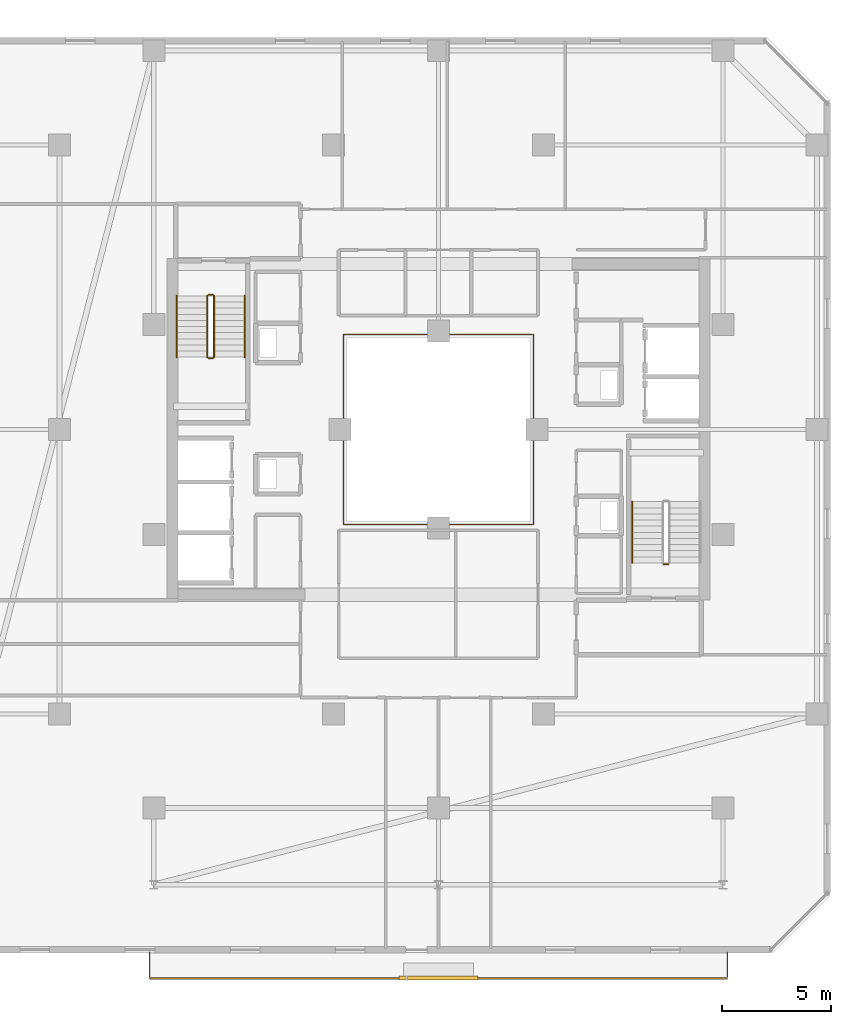
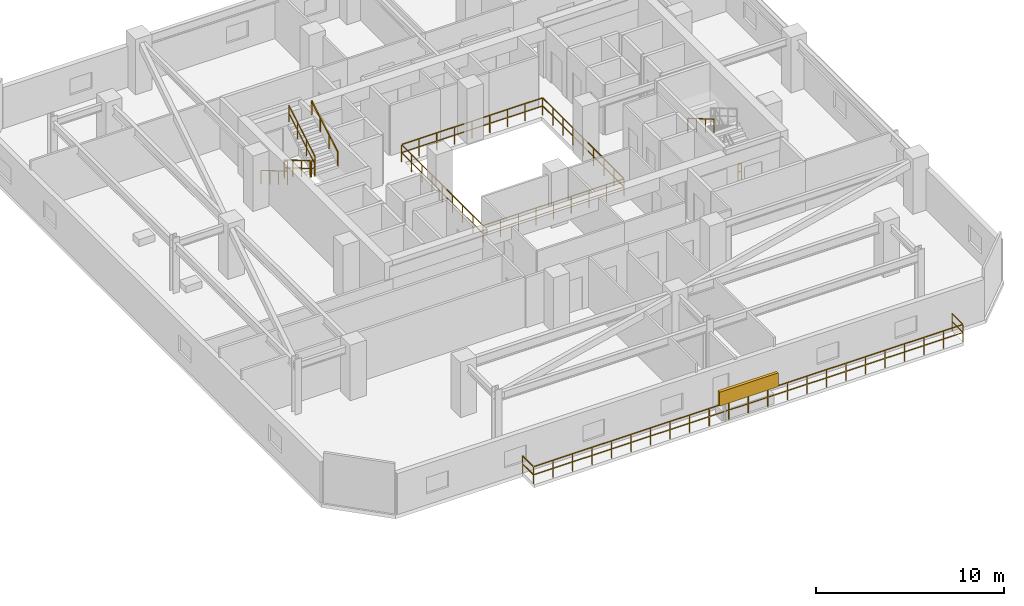
# One storey, part 32 of 33: 10 railings, 1 shading device.
"""IFC4 building model written with IfcOpenShell, lengths in metres."""

import ifcopenshell
import ifcopenshell.guid

model = None  # the IFC model being written
_history = None  # IfcOwnerHistory: only IFC2X3 demands one
_inside = {}  # id of a spatial element -> (the spatial element, [elements in it])
_under = {}  # id of a project, library or spatial element -> (it, [spatial elements below it])
_declared = {}  # id of a project -> (the project, [libraries it declares])
_typed = {}  # id of a type object -> (the type object, [elements of that type])
_made_of = {}  # id of a material, layer set ... -> (it, [elements and type objects made of it])


def new_model(schema):
    """Start an empty IFC model of exactly this schema.

    Asked for "IFC4X3", IfcOpenShell would pick the latest addendum, in which some entities
    have other attributes; the version numbers below select the first issue.
    IFC2X3 requires an IfcOwnerHistory on every rooted entity: one is made here for all.
    """
    global model, _history
    if schema == "IFC4X3":
        model = ifcopenshell.file(schema_version=(4, 3, 0, 0))
    else:
        model = ifcopenshell.file(schema=schema)
    _inside.clear()
    _under.clear()
    _declared.clear()
    _typed.clear()
    _made_of.clear()
    _history = None
    if model.schema == "IFC2X3":
        org = make("IfcOrganization", Name="unknown")
        user = make(
            "IfcPersonAndOrganization",
            ThePerson=make("IfcPerson", FamilyName="unknown"),
            TheOrganization=org,
        )
        app = make(
            "IfcApplication",
            ApplicationDeveloper=org,
            Version="unknown",
            ApplicationFullName="unknown",
            ApplicationIdentifier="unknown",
        )
        _history = make(
            "IfcOwnerHistory",
            OwningUser=user,
            OwningApplication=app,
            ChangeAction="ADDED",
            CreationDate=0,
        )
    return model


def make(cls, **values):
    """One entity of the class cls with the attributes given. An attribute that is None is left unset."""
    return model.create_entity(
        cls, **{name: value for name, value in values.items() if value is not None}
    )


def rooted(cls, **values):
    """An entity with a GlobalId (a new one), such as an element, a storey or a relation."""
    return make(cls, GlobalId=ifcopenshell.guid.new(), OwnerHistory=_history, **values)


def si_unit(unit_type, name, prefix=None):
    """IfcSIUnit, for example si_unit("LENGTHUNIT", "METRE", prefix="MILLI")."""
    return make("IfcSIUnit", UnitType=unit_type, Prefix=prefix, Name=name)


def assignment(units):
    """IfcUnitAssignment: the units of a project."""
    return None if units is None else make("IfcUnitAssignment", Units=units)


def point(xyz):
    """IfcCartesianPoint."""
    return None if xyz is None else make("IfcCartesianPoint", Coordinates=xyz)


def direction(xyz):
    """IfcDirection."""
    return None if xyz is None else make("IfcDirection", DirectionRatios=xyz)


def frame(location, z_axis=None, x_axis=None):
    """IfcAxis2Placement3D, a coordinate frame: its origin and axes. An axis left out is left unset."""
    return make(
        "IfcAxis2Placement3D",
        Location=point(location),
        Axis=direction(z_axis),
        RefDirection=direction(x_axis),
    )


def frame_2d(location, x_axis=None):
    """IfcAxis2Placement2D, a coordinate frame in the plane: its origin and x axis."""
    return make(
        "IfcAxis2Placement2D", Location=point(location), RefDirection=direction(x_axis)
    )


def origin():
    """The frame at (0, 0, 0) with its axes left unset."""
    return frame((0.0, 0.0, 0.0))


def origin_2d():
    """The frame at (0, 0) in the plane with its x axis left unset."""
    return frame_2d((0.0, 0.0))


def place(relative_to, where):
    """IfcLocalPlacement: puts the frame where relative to a parent placement (None: the world)."""
    return make(
        "IfcLocalPlacement", PlacementRelTo=relative_to, RelativePlacement=where
    )


def context(
    kind, dimensions, precision=None, world=None, true_north=None, identifier=None
):
    """IfcGeometricRepresentationContext, for example the 3D "Model" context."""
    return make(
        "IfcGeometricRepresentationContext",
        ContextIdentifier=identifier,
        ContextType=kind,
        CoordinateSpaceDimension=dimensions,
        Precision=precision,
        WorldCoordinateSystem=world,
        TrueNorth=true_north,
    )


def subcontext(parent, identifier, kind, view, scale=None):
    """IfcGeometricRepresentationSubContext, for example "Body" below "Model"."""
    return make(
        "IfcGeometricRepresentationSubContext",
        ContextIdentifier=identifier,
        ContextType=kind,
        ParentContext=parent,
        TargetScale=scale,
        TargetView=view,
    )


def project(units=None, contexts=None):
    """IfcProject with its units and contexts."""
    return rooted(
        "IfcProject",
        Name="project",
        RepresentationContexts=contexts,
        UnitsInContext=assignment(units),
    )


def spatial(cls, under=None, at=None, **own):
    """A site, building, storey or space (cls), placed at a placement, below another one or the project."""
    s = rooted(cls, ObjectPlacement=at, **own)
    if under is not None:
        _under.setdefault(under.id(), (under, []))[1].append(s)
    return s


def profile(cls, at=None, kind="AREA", **sizes):
    """A parametric profile (cls). Its sizes go by their IFC names, for example OverallWidth=200.0."""
    return make(cls, ProfileType=kind, Position=at, **sizes)


def rectangle(**sizes):
    """IfcRectangleProfileDef."""
    return profile("IfcRectangleProfileDef", **sizes)


def extrude(swept, where, along, depth):
    """IfcExtrudedAreaSolid: the profile swept, set in the frame where, extruded along a direction by depth."""
    return make(
        "IfcExtrudedAreaSolid",
        SweptArea=swept,
        Position=where,
        ExtrudedDirection=direction(along),
        Depth=depth,
    )


def shape(context_of_items, identifier, shape_type, items):
    """IfcShapeRepresentation: the items that make up one representation, for example the "Body"."""
    return make(
        "IfcShapeRepresentation",
        ContextOfItems=context_of_items,
        RepresentationIdentifier=identifier,
        RepresentationType=shape_type,
        Items=items,
    )


def material(Name=None, Category=None):
    """IfcMaterial."""
    return make("IfcMaterial", Name=Name, Category=Category)


def made_of(thing, what):
    """Note that an element or type object is made of a material, layer set ...; save() writes the relation."""
    if what is not None:
        _made_of.setdefault(what.id(), (what, []))[1].append(thing)
    return thing


def type_object(cls, material=None, **own):
    """A type object (cls), such as IfcWallType, which elements share."""
    return made_of(rooted(cls, **own), material)


def element(
    cls,
    number,
    at=None,
    inside=None,
    cuts=None,
    type_object=None,
    material=None,
    context=None,
    identifier="Body",
    shape_type=None,
    held_by="IfcProductDefinitionShape",
    body=None,
    shapes=None,
    **own,
):
    """One element of the class cls, such as IfcWall. Its Tag is "e" and its number.

    at: its placement. inside: the storey or other place that contains it. cuts: it is an
    opening in that element (IfcRelVoidsElement). A single representation is given by context,
    identifier, shape_type and body (its items); several are given by shapes. held_by: the class
    of the entity that holds the representations. save() writes the other relations.
    """
    e = rooted(cls, Tag="e%d" % number, ObjectPlacement=at, **own)
    if body is not None:
        shapes = [shape(context, identifier, shape_type, body)]
    if shapes is not None:
        e.Representation = make(held_by, Representations=shapes)
    if inside is not None:
        _inside.setdefault(inside.id(), (inside, []))[1].append(e)
    if cuts is not None:
        rooted(
            "IfcRelVoidsElement", RelatingBuildingElement=cuts, RelatedOpeningElement=e
        )
    if type_object is not None:
        _typed.setdefault(type_object.id(), (type_object, []))[1].append(e)
    return made_of(e, material)


def aggregate(whole, parts):
    """IfcRelAggregates: a whole, such as a stair, and the parts it consists of."""
    return rooted("IfcRelAggregates", RelatingObject=whole, RelatedObjects=parts)


def save(model, path):
    """Write the relations noted so far, then the file.

    IfcRelAggregates (storeys below a building ...), IfcRelContainedInSpatialStructure (elements
    in a storey), IfcRelDefinesByType, IfcRelAssociatesMaterial and IfcRelDeclares: one each for
    every whole, place, type object, material and project.
    """
    for whole, parts in _under.values():
        aggregate(whole, parts)
    for where, things in _inside.values():
        rooted(
            "IfcRelContainedInSpatialStructure",
            RelatedElements=things,
            RelatingStructure=where,
        )
    for kind, things in _typed.values():
        rooted("IfcRelDefinesByType", RelatedObjects=things, RelatingType=kind)
    for what, things in _made_of.values():
        rooted("IfcRelAssociatesMaterial", RelatedObjects=things, RelatingMaterial=what)
    for by, libraries in _declared.values():
        rooted("IfcRelDeclares", RelatingContext=by, RelatedDefinitions=libraries)
    model.write(path)


model = new_model("IFC4")

# Units and contexts
model_context = context("Model", 3, precision=1e-05, world=origin(), true_north=direction((0.0, 1.0)))
body_context = subcontext(model_context, "Body", "Model", "MODEL_VIEW")
ifc_project = project(units=[si_unit("LENGTHUNIT", "METRE"), si_unit("AREAUNIT", "SQUARE_METRE"), si_unit("VOLUMEUNIT", "CUBIC_METRE"), si_unit("PLANEANGLEUNIT", "RADIAN"), si_unit("MASSUNIT", "GRAM", prefix="KILO")], contexts=[model_context])

# Site, building, storey
site_placement = place(None, origin())
site = spatial("IfcSite", under=ifc_project, at=site_placement, CompositionType="ELEMENT")
building_placement = place(site_placement, origin())
building = spatial("IfcBuilding", under=site, at=building_placement, Name="Thornwick Lancets Civic Towers", CompositionType="ELEMENT")
storey_placement = place(building_placement, frame((0.0, 0.0, 218.10009765625)))
storey = spatial("IfcBuildingStorey", under=building, at=storey_placement, Name="L58", CompositionType="ELEMENT", Elevation=218.10009765625)

# Railings
ifc_material_1 = material(Name="Laminated glass and bronze steel S355", Category="steel")
railing_type_1 = type_object("IfcRailingType", Name="RAIL_ATRIUM_GUARD", PredefinedType="BALUSTRADE", material=ifc_material_1)
railing_1_placement = place(storey_placement, frame((84.159912109375, 22.659912109375, 0.0)))
element("IfcRailing", 1, at=railing_1_placement, inside=storey, type_object=railing_type_1, Name="L58 Tower B Central Atrium Guard Balustrade", PredefinedType="BALUSTRADE", context=body_context, shape_type="SweptSolid", body=[
    extrude(rectangle(XDim=0.048095703125, YDim=0.048095703125, at=origin_2d()), frame((0.0, 0.0, 1.1259765625), z_axis=(1.0, 0.0, 0.0), x_axis=(0.0, 1.0, 0.0)), (0.0, 0.0, 1.0), 8.64892578125),
    extrude(rectangle(XDim=0.0419921875, YDim=0.0419921875, at=origin_2d()), frame((0.03759765625, 0.0, 0.597900390625), z_axis=(1.0, 0.0, 0.0), x_axis=(0.0, 1.0, 0.0)), (0.0, 0.0, 1.0), 1.010009765625),
    extrude(rectangle(XDim=0.0419921875, YDim=0.0419921875, at=origin_2d()), frame((1.12255859375, 0.0, 0.597900390625), z_axis=(1.0, 0.0, 0.0), x_axis=(0.0, 1.0, 0.0)), (0.0, 0.0, 1.0), 1.010009765625),
    extrude(rectangle(XDim=0.0419921875, YDim=0.0419921875, at=origin_2d()), frame((2.20751953125, 0.0, 0.597900390625), z_axis=(1.0, 0.0, 0.0), x_axis=(0.0, 1.0, 0.0)), (0.0, 0.0, 1.0), 1.010009765625),
    extrude(rectangle(XDim=0.0419921875, YDim=0.0419921875, at=origin_2d()), frame((3.29248046875, 0.0, 0.597900390625), z_axis=(1.0, 0.0, 0.0), x_axis=(0.0, 1.0, 0.0)), (0.0, 0.0, 1.0), 1.010009765625),
    extrude(rectangle(XDim=0.0419921875, YDim=0.0419921875, at=origin_2d()), frame((4.377685546875, 0.0, 0.597900390625), z_axis=(1.0, 0.0, 0.0), x_axis=(0.0, 1.0, 0.0)), (0.0, 0.0, 1.0), 1.010009765625),
    extrude(rectangle(XDim=0.0419921875, YDim=0.0419921875, at=origin_2d()), frame((5.462646484375, 0.0, 0.597900390625), z_axis=(1.0, 0.0, 0.0), x_axis=(0.0, 1.0, 0.0)), (0.0, 0.0, 1.0), 1.010009765625),
    extrude(rectangle(XDim=0.0419921875, YDim=0.0419921875, at=origin_2d()), frame((6.547607421875, 0.0, 0.597900390625), z_axis=(1.0, 0.0, 0.0), x_axis=(0.0, 1.0, 0.0)), (0.0, 0.0, 1.0), 1.010009765625),
    extrude(rectangle(XDim=0.0419921875, YDim=0.0419921875, at=origin_2d()), frame((7.632568359375, 0.0, 0.597900390625), z_axis=(1.0, 0.0, 0.0), x_axis=(0.0, 1.0, 0.0)), (0.0, 0.0, 1.0), 1.010009765625),
    extrude(rectangle(XDim=0.048095703125, YDim=0.048095703125, at=origin_2d()), frame((8.68017578125, 0.03125, 1.1259765625), z_axis=(0.0, 1.0, 0.0), x_axis=(-1.0, 0.0, 0.0)), (0.0, 0.0, 1.0), 8.61767578125),
    extrude(rectangle(XDim=0.0419921875, YDim=0.0419921875, at=origin_2d()), frame((8.68017578125, 0.03759765625, 0.597900390625), z_axis=(0.0, 1.0, 0.0), x_axis=(-1.0, 0.0, 0.0)), (0.0, 0.0, 1.0), 1.010009765625),
    extrude(rectangle(XDim=0.0419921875, YDim=0.0419921875, at=origin_2d()), frame((8.68017578125, 1.12255859375, 0.597900390625), z_axis=(0.0, 1.0, 0.0), x_axis=(-1.0, 0.0, 0.0)), (0.0, 0.0, 1.0), 1.010009765625),
    extrude(rectangle(XDim=0.0419921875, YDim=0.0419921875, at=origin_2d()), frame((8.68017578125, 2.20751953125, 0.597900390625), z_axis=(0.0, 1.0, 0.0), x_axis=(-1.0, 0.0, 0.0)), (0.0, 0.0, 1.0), 1.010009765625),
    extrude(rectangle(XDim=0.0419921875, YDim=0.0419921875, at=origin_2d()), frame((8.68017578125, 3.29248046875, 0.597900390625), z_axis=(0.0, 1.0, 0.0), x_axis=(-1.0, 0.0, 0.0)), (0.0, 0.0, 1.0), 1.010009765625),
    extrude(rectangle(XDim=0.0419921875, YDim=0.0419921875, at=origin_2d()), frame((8.68017578125, 4.377685546875, 0.597900390625), z_axis=(0.0, 1.0, 0.0), x_axis=(-1.0, 0.0, 0.0)), (0.0, 0.0, 1.0), 1.010009765625),
    extrude(rectangle(XDim=0.0419921875, YDim=0.0419921875, at=origin_2d()), frame((8.68017578125, 5.462646484375, 0.597900390625), z_axis=(0.0, 1.0, 0.0), x_axis=(-1.0, 0.0, 0.0)), (0.0, 0.0, 1.0), 1.010009765625),
    extrude(rectangle(XDim=0.0419921875, YDim=0.0419921875, at=origin_2d()), frame((8.68017578125, 6.547607421875, 0.597900390625), z_axis=(0.0, 1.0, 0.0), x_axis=(-1.0, 0.0, 0.0)), (0.0, 0.0, 1.0), 1.010009765625),
    extrude(rectangle(XDim=0.0419921875, YDim=0.0419921875, at=origin_2d()), frame((8.68017578125, 7.632568359375, 0.597900390625), z_axis=(0.0, 1.0, 0.0), x_axis=(-1.0, 0.0, 0.0)), (0.0, 0.0, 1.0), 1.010009765625),
    extrude(rectangle(XDim=0.048095703125, YDim=0.048095703125, at=origin_2d()), frame((8.64892578125, 8.68017578125, 1.1259765625), z_axis=(-1.0, 0.0, 0.0), x_axis=(0.0, -1.0, 0.0)), (0.0, 0.0, 1.0), 8.61767578125),
    extrude(rectangle(XDim=0.0419921875, YDim=0.0419921875, at=origin_2d()), frame((8.642578125, 8.68017578125, 0.597900390625), z_axis=(-1.0, 0.0, 0.0), x_axis=(0.0, -1.0, 0.0)), (0.0, 0.0, 1.0), 1.010009765625),
    extrude(rectangle(XDim=0.0419921875, YDim=0.0419921875, at=origin_2d()), frame((7.5576171875, 8.68017578125, 0.597900390625), z_axis=(-1.0, 0.0, 0.0), x_axis=(0.0, -1.0, 0.0)), (0.0, 0.0, 1.0), 1.010009765625),
    extrude(rectangle(XDim=0.0419921875, YDim=0.0419921875, at=origin_2d()), frame((6.47265625, 8.68017578125, 0.597900390625), z_axis=(-1.0, 0.0, 0.0), x_axis=(0.0, -1.0, 0.0)), (0.0, 0.0, 1.0), 1.010009765625),
    extrude(rectangle(XDim=0.0419921875, YDim=0.0419921875, at=origin_2d()), frame((5.3876953125, 8.68017578125, 0.597900390625), z_axis=(-1.0, 0.0, 0.0), x_axis=(0.0, -1.0, 0.0)), (0.0, 0.0, 1.0), 1.010009765625),
    extrude(rectangle(XDim=0.0419921875, YDim=0.0419921875, at=origin_2d()), frame((4.302490234375, 8.68017578125, 0.597900390625), z_axis=(-1.0, 0.0, 0.0), x_axis=(0.0, -1.0, 0.0)), (0.0, 0.0, 1.0), 1.010009765625),
    extrude(rectangle(XDim=0.0419921875, YDim=0.0419921875, at=origin_2d()), frame((3.217529296875, 8.68017578125, 0.597900390625), z_axis=(-1.0, 0.0, 0.0), x_axis=(0.0, -1.0, 0.0)), (0.0, 0.0, 1.0), 1.010009765625),
    extrude(rectangle(XDim=0.0419921875, YDim=0.0419921875, at=origin_2d()), frame((2.132568359375, 8.68017578125, 0.597900390625), z_axis=(-1.0, 0.0, 0.0), x_axis=(0.0, -1.0, 0.0)), (0.0, 0.0, 1.0), 1.010009765625),
    extrude(rectangle(XDim=0.0419921875, YDim=0.0419921875, at=origin_2d()), frame((1.047607421875, 8.68017578125, 0.597900390625), z_axis=(-1.0, 0.0, 0.0), x_axis=(0.0, -1.0, 0.0)), (0.0, 0.0, 1.0), 1.010009765625),
    extrude(rectangle(XDim=0.048095703125, YDim=0.048095703125, at=origin_2d()), frame((0.0, 8.64892578125, 1.1259765625), z_axis=(0.0, -1.0, 0.0), x_axis=(1.0, 0.0, 0.0)), (0.0, 0.0, 1.0), 8.64892578125),
    extrude(rectangle(XDim=0.0419921875, YDim=0.0419921875, at=origin_2d()), frame((0.0, 8.642578125, 0.597900390625), z_axis=(0.0, -1.0, 0.0), x_axis=(1.0, 0.0, 0.0)), (0.0, 0.0, 1.0), 1.010009765625),
    extrude(rectangle(XDim=0.0419921875, YDim=0.0419921875, at=origin_2d()), frame((0.0, 7.5576171875, 0.597900390625), z_axis=(0.0, -1.0, 0.0), x_axis=(1.0, 0.0, 0.0)), (0.0, 0.0, 1.0), 1.010009765625),
    extrude(rectangle(XDim=0.0419921875, YDim=0.0419921875, at=origin_2d()), frame((0.0, 6.47265625, 0.597900390625), z_axis=(0.0, -1.0, 0.0), x_axis=(1.0, 0.0, 0.0)), (0.0, 0.0, 1.0), 1.010009765625),
    extrude(rectangle(XDim=0.0419921875, YDim=0.0419921875, at=origin_2d()), frame((0.0, 5.3876953125, 0.597900390625), z_axis=(0.0, -1.0, 0.0), x_axis=(1.0, 0.0, 0.0)), (0.0, 0.0, 1.0), 1.010009765625),
    extrude(rectangle(XDim=0.0419921875, YDim=0.0419921875, at=origin_2d()), frame((0.0, 4.302490234375, 0.597900390625), z_axis=(0.0, -1.0, 0.0), x_axis=(1.0, 0.0, 0.0)), (0.0, 0.0, 1.0), 1.010009765625),
    extrude(rectangle(XDim=0.0419921875, YDim=0.0419921875, at=origin_2d()), frame((0.0, 3.217529296875, 0.597900390625), z_axis=(0.0, -1.0, 0.0), x_axis=(1.0, 0.0, 0.0)), (0.0, 0.0, 1.0), 1.010009765625),
    extrude(rectangle(XDim=0.0419921875, YDim=0.0419921875, at=origin_2d()), frame((0.0, 2.132568359375, 0.597900390625), z_axis=(0.0, -1.0, 0.0), x_axis=(1.0, 0.0, 0.0)), (0.0, 0.0, 1.0), 1.010009765625),
    extrude(rectangle(XDim=0.0419921875, YDim=0.0419921875, at=origin_2d()), frame((0.0, 1.047607421875, 0.597900390625), z_axis=(0.0, -1.0, 0.0), x_axis=(1.0, 0.0, 0.0)), (0.0, 0.0, 1.0), 1.010009765625),
    extrude(rectangle(XDim=0.0419921875, YDim=0.0419921875, at=origin_2d()), origin(), (0.0, 0.0, 1.0), 1.095703125),
    extrude(rectangle(XDim=0.0419921875, YDim=0.0419921875, at=origin_2d()), frame((1.0849609375, 0.0, 0.0)), (0.0, 0.0, 1.0), 1.095703125),
    extrude(rectangle(XDim=0.0419921875, YDim=0.0419921875, at=origin_2d()), frame((2.169921875, 0.0, 0.0)), (0.0, 0.0, 1.0), 1.095703125),
    extrude(rectangle(XDim=0.0419921875, YDim=0.0419921875, at=origin_2d()), frame((3.255126953125, 0.0, 0.0)), (0.0, 0.0, 1.0), 1.095703125),
    extrude(rectangle(XDim=0.0419921875, YDim=0.0419921875, at=origin_2d()), frame((4.340087890625, 0.0, 0.0)), (0.0, 0.0, 1.0), 1.095703125),
    extrude(rectangle(XDim=0.0419921875, YDim=0.0419921875, at=origin_2d()), frame((5.425048828125, 0.0, 0.0)), (0.0, 0.0, 1.0), 1.095703125),
    extrude(rectangle(XDim=0.0419921875, YDim=0.0419921875, at=origin_2d()), frame((6.51025390625, 0.0, 0.0)), (0.0, 0.0, 1.0), 1.095703125),
    extrude(rectangle(XDim=0.0419921875, YDim=0.0419921875, at=origin_2d()), frame((7.59521484375, 0.0, 0.0)), (0.0, 0.0, 1.0), 1.095703125),
    extrude(rectangle(XDim=0.0419921875, YDim=0.0419921875, at=origin_2d()), frame((8.68017578125, 0.0, 0.0)), (0.0, 0.0, 1.0), 1.095703125),
    extrude(rectangle(XDim=0.0419921875, YDim=0.0419921875, at=origin_2d()), frame((8.68017578125, 1.0849609375, 0.0)), (0.0, 0.0, 1.0), 1.095703125),
    extrude(rectangle(XDim=0.0419921875, YDim=0.0419921875, at=origin_2d()), frame((8.68017578125, 2.169921875, 0.0)), (0.0, 0.0, 1.0), 1.095703125),
    extrude(rectangle(XDim=0.0419921875, YDim=0.0419921875, at=origin_2d()), frame((8.68017578125, 3.255126953125, 0.0)), (0.0, 0.0, 1.0), 1.095703125),
    extrude(rectangle(XDim=0.0419921875, YDim=0.0419921875, at=origin_2d()), frame((8.68017578125, 4.340087890625, 0.0)), (0.0, 0.0, 1.0), 1.095703125),
    extrude(rectangle(XDim=0.0419921875, YDim=0.0419921875, at=origin_2d()), frame((8.68017578125, 5.425048828125, 0.0)), (0.0, 0.0, 1.0), 1.095703125),
    extrude(rectangle(XDim=0.0419921875, YDim=0.0419921875, at=origin_2d()), frame((8.68017578125, 6.51025390625, 0.0)), (0.0, 0.0, 1.0), 1.095703125),
    extrude(rectangle(XDim=0.0419921875, YDim=0.0419921875, at=origin_2d()), frame((8.68017578125, 7.59521484375, 0.0)), (0.0, 0.0, 1.0), 1.095703125),
    extrude(rectangle(XDim=0.0419921875, YDim=0.0419921875, at=origin_2d()), frame((8.68017578125, 8.68017578125, 0.0)), (0.0, 0.0, 1.0), 1.095703125),
    extrude(rectangle(XDim=0.0419921875, YDim=0.0419921875, at=origin_2d()), frame((7.59521484375, 8.68017578125, 0.0)), (0.0, 0.0, 1.0), 1.095703125),
    extrude(rectangle(XDim=0.0419921875, YDim=0.0419921875, at=origin_2d()), frame((6.51025390625, 8.68017578125, 0.0)), (0.0, 0.0, 1.0), 1.095703125),
    extrude(rectangle(XDim=0.0419921875, YDim=0.0419921875, at=origin_2d()), frame((5.425048828125, 8.68017578125, 0.0)), (0.0, 0.0, 1.0), 1.095703125),
    extrude(rectangle(XDim=0.0419921875, YDim=0.0419921875, at=origin_2d()), frame((4.340087890625, 8.68017578125, 0.0)), (0.0, 0.0, 1.0), 1.095703125),
    extrude(rectangle(XDim=0.0419921875, YDim=0.0419921875, at=origin_2d()), frame((3.255126953125, 8.68017578125, 0.0)), (0.0, 0.0, 1.0), 1.095703125),
    extrude(rectangle(XDim=0.0419921875, YDim=0.0419921875, at=origin_2d()), frame((2.169921875, 8.68017578125, 0.0)), (0.0, 0.0, 1.0), 1.095703125),
    extrude(rectangle(XDim=0.0419921875, YDim=0.0419921875, at=origin_2d()), frame((1.0849609375, 8.68017578125, 0.0)), (0.0, 0.0, 1.0), 1.095703125),
    extrude(rectangle(XDim=0.0419921875, YDim=0.0419921875, at=origin_2d()), frame((0.0, 8.68017578125, 0.0)), (0.0, 0.0, 1.0), 1.095703125),
    extrude(rectangle(XDim=0.0419921875, YDim=0.0419921875, at=origin_2d()), frame((0.0, 7.59521484375, 0.0)), (0.0, 0.0, 1.0), 1.095703125),
    extrude(rectangle(XDim=0.0419921875, YDim=0.0419921875, at=origin_2d()), frame((0.0, 6.51025390625, 0.0)), (0.0, 0.0, 1.0), 1.095703125),
    extrude(rectangle(XDim=0.0419921875, YDim=0.0419921875, at=origin_2d()), frame((0.0, 5.425048828125, 0.0)), (0.0, 0.0, 1.0), 1.095703125),
    extrude(rectangle(XDim=0.0419921875, YDim=0.0419921875, at=origin_2d()), frame((0.0, 4.340087890625, 0.0)), (0.0, 0.0, 1.0), 1.095703125),
    extrude(rectangle(XDim=0.0419921875, YDim=0.0419921875, at=origin_2d()), frame((0.0, 3.255126953125, 0.0)), (0.0, 0.0, 1.0), 1.095703125),
    extrude(rectangle(XDim=0.0419921875, YDim=0.0419921875, at=origin_2d()), frame((0.0, 2.169921875, 0.0)), (0.0, 0.0, 1.0), 1.095703125),
    extrude(rectangle(XDim=0.0419921875, YDim=0.0419921875, at=origin_2d()), frame((0.0, 1.0849609375, 0.0)), (0.0, 0.0, 1.0), 1.095703125),
])
ifc_material_2 = material(Name="Brushed stainless steel S355", Category="steel")
railing_type_2 = type_object("IfcRailingType", Name="RAIL_HANDRAIL", PredefinedType="HANDRAIL", material=ifc_material_2)
for number, where, name in (
    (2, (97.35009765625, 23.699951171875, 1.963623046875), "L58 ST-B1 stair handrail 2"),
    (3, (76.550048828125, 33.10009765625, 0.16357421875), "L58 ST-B2 stair handrail 1"),
):
    element("IfcRailing", number, at=place(storey_placement, frame(where)), inside=storey, type_object=railing_type_2, Name=name, PredefinedType="HANDRAIL", context=body_context, shape_type="SweptSolid", body=[
        extrude(rectangle(XDim=0.048095703125, YDim=0.048095703125, at=origin_2d()), frame((0.0, 0.0, 0.8857421875), z_axis=(0.0, -0.863393664356, 0.504530851732), x_axis=(1.0, 0.0, 0.0)), (0.0, 0.0, 1.0), 3.2431640625),
        extrude(rectangle(XDim=0.0419921875, YDim=0.0419921875, at=origin_2d()), origin(), (0.0, 0.0, 1.0), 0.855712890625),
        extrude(rectangle(XDim=0.0419921875, YDim=0.0419921875, at=origin_2d()), frame((0.0, -0.933349609375, 0.54541015625)), (0.0, 0.0, 1.0), 0.855712890625),
        extrude(rectangle(XDim=0.0419921875, YDim=0.0419921875, at=origin_2d()), frame((0.0, -1.86669921875, 1.0908203125)), (0.0, 0.0, 1.0), 0.855712890625),
        extrude(rectangle(XDim=0.0419921875, YDim=0.0419921875, at=origin_2d()), frame((0.0, -2.800048828125, 1.63623046875)), (0.0, 0.0, 1.0), 0.855712890625),
    ])
railing_2_placement = place(storey_placement, frame((79.64990234375, 30.300048828125, 1.963623046875)))
element("IfcRailing", 4, at=railing_2_placement, inside=storey, type_object=railing_type_2, Name="L58 ST-B2 stair handrail 2", PredefinedType="HANDRAIL", context=body_context, shape_type="SweptSolid", body=[
    extrude(rectangle(XDim=0.048095703125, YDim=0.048095703125, at=origin_2d()), frame((0.0, 0.0, 0.8857421875), z_axis=(0.0, 0.863393664356, 0.504530851732), x_axis=(-1.0, 0.0, 0.0)), (0.0, 0.0, 1.0), 3.2431640625),
    extrude(rectangle(XDim=0.0419921875, YDim=0.0419921875, at=origin_2d()), origin(), (0.0, 0.0, 1.0), 0.855712890625),
    extrude(rectangle(XDim=0.0419921875, YDim=0.0419921875, at=origin_2d()), frame((0.0, 0.933349609375, 0.54541015625)), (0.0, 0.0, 1.0), 0.855712890625),
    extrude(rectangle(XDim=0.0419921875, YDim=0.0419921875, at=origin_2d()), frame((0.0, 1.86669921875, 1.0908203125)), (0.0, 0.0, 1.0), 0.855712890625),
    extrude(rectangle(XDim=0.0419921875, YDim=0.0419921875, at=origin_2d()), frame((0.0, 2.800048828125, 1.63623046875)), (0.0, 0.0, 1.0), 0.855712890625),
])
ifc_material_3 = material(Name="Steel S355JR", Category="steel")
railing_type_3 = type_object("IfcRailingType", Name="RAIL_STAIR_GUARD", PredefinedType="GUARDRAIL", material=ifc_material_3)
railing_3_placement = place(storey_placement, frame((99.0, 20.85009765625, 0.0)))
element("IfcRailing", 5, at=railing_3_placement, inside=storey, type_object=railing_type_3, Name="L58 ST-B1 stair guard 4", PredefinedType="GUARDRAIL", context=body_context, shape_type="SweptSolid", body=[
    extrude(rectangle(XDim=0.048095703125, YDim=0.048095703125, at=origin_2d()), frame((0.0, 0.0, 1.076171875), z_axis=(-1.0, 0.0, 0.0), x_axis=(0.0, -1.0, 0.0)), (0.0, 0.0, 1.0), 0.199951171875),
    extrude(rectangle(XDim=0.0419921875, YDim=0.0419921875, at=origin_2d()), frame((-0.03759765625, 0.0, 0.572021484375), z_axis=(-1.0, 0.0, 0.0), x_axis=(0.0, -1.0, 0.0)), (0.0, 0.0, 1.0), 0.125),
    extrude(rectangle(XDim=0.0419921875, YDim=0.0419921875, at=origin_2d()), origin(), (0.0, 0.0, 1.0), 1.0458984375),
    extrude(rectangle(XDim=0.0419921875, YDim=0.0419921875, at=origin_2d()), frame((-0.199951171875, 0.0, 0.0)), (0.0, 0.0, 1.0), 1.0458984375),
])
railing_4_placement = place(storey_placement, frame((77.949951171875, 33.10009765625, 0.16357421875)))
element("IfcRailing", 6, at=railing_4_placement, inside=storey, type_object=railing_type_3, Name="L58 ST-B2 stair guard 1", PredefinedType="GUARDRAIL", context=body_context, shape_type="SweptSolid", body=[
    extrude(rectangle(XDim=0.048095703125, YDim=0.048095703125, at=origin_2d()), frame((0.0, 0.0, 1.076171875), z_axis=(0.0, -0.863393664356, 0.504530851732), x_axis=(1.0, 0.0, 0.0)), (0.0, 0.0, 1.0), 3.2431640625),
    extrude(rectangle(XDim=0.0419921875, YDim=0.0419921875, at=origin_2d()), frame((0.0, -0.032470703125, 0.591064453125), z_axis=(0.0, -0.863393664356, 0.504530851732), x_axis=(1.0, 0.0, 0.0)), (0.0, 0.0, 1.0), 1.006103515625),
    extrude(rectangle(XDim=0.0419921875, YDim=0.0419921875, at=origin_2d()), frame((0.0, -0.9658203125, 1.136474609375), z_axis=(0.0, -0.863393664356, 0.504530851732), x_axis=(1.0, 0.0, 0.0)), (0.0, 0.0, 1.0), 1.006103515625),
    extrude(rectangle(XDim=0.0419921875, YDim=0.0419921875, at=origin_2d()), frame((0.0, -1.899169921875, 1.681884765625), z_axis=(0.0, -0.863393664356, 0.504530851732), x_axis=(1.0, 0.0, 0.0)), (0.0, 0.0, 1.0), 1.006103515625),
    extrude(rectangle(XDim=0.0419921875, YDim=0.0419921875, at=origin_2d()), origin(), (0.0, 0.0, 1.0), 1.0458984375),
    extrude(rectangle(XDim=0.0419921875, YDim=0.0419921875, at=origin_2d()), frame((0.0, -0.933349609375, 0.54541015625)), (0.0, 0.0, 1.0), 1.0458984375),
    extrude(rectangle(XDim=0.0419921875, YDim=0.0419921875, at=origin_2d()), frame((0.0, -1.86669921875, 1.0908203125)), (0.0, 0.0, 1.0), 1.0458984375),
    extrude(rectangle(XDim=0.0419921875, YDim=0.0419921875, at=origin_2d()), frame((0.0, -2.800048828125, 1.63623046875)), (0.0, 0.0, 1.0), 1.0458984375),
])
railing_5_placement = place(storey_placement, frame((78.0, 30.25, 1.7998046875)))
element("IfcRailing", 7, at=railing_5_placement, inside=storey, type_object=railing_type_3, Name="L58 ST-B2 stair guard 2", PredefinedType="GUARDRAIL", context=body_context, shape_type="SweptSolid", body=[
    extrude(rectangle(XDim=0.048095703125, YDim=0.048095703125, at=origin_2d()), frame((0.0, 0.0, 1.076171875), z_axis=(1.0, 0.0, 0.0), x_axis=(0.0, 1.0, 0.0)), (0.0, 0.0, 1.0), 0.199951171875),
    extrude(rectangle(XDim=0.0419921875, YDim=0.0419921875, at=origin_2d()), frame((0.03759765625, 0.0, 0.572021484375), z_axis=(1.0, 0.0, 0.0), x_axis=(0.0, 1.0, 0.0)), (0.0, 0.0, 1.0), 0.125),
    extrude(rectangle(XDim=0.0419921875, YDim=0.0419921875, at=origin_2d()), origin(), (0.0, 0.0, 1.0), 1.0458984375),
    extrude(rectangle(XDim=0.0419921875, YDim=0.0419921875, at=origin_2d()), frame((0.199951171875, 0.0, 0.0)), (0.0, 0.0, 1.0), 1.0458984375),
])
railing_6_placement = place(storey_placement, frame((78.25, 30.300048828125, 1.963623046875)))
element("IfcRailing", 8, at=railing_6_placement, inside=storey, type_object=railing_type_3, Name="L58 ST-B2 stair guard 3", PredefinedType="GUARDRAIL", context=body_context, shape_type="SweptSolid", body=[
    extrude(rectangle(XDim=0.048095703125, YDim=0.048095703125, at=origin_2d()), frame((0.0, 0.0, 1.076171875), z_axis=(0.0, 0.863393664356, 0.504530851732), x_axis=(-1.0, 0.0, 0.0)), (0.0, 0.0, 1.0), 3.2431640625),
    extrude(rectangle(XDim=0.0419921875, YDim=0.0419921875, at=origin_2d()), frame((0.0, 0.032470703125, 0.591064453125), z_axis=(0.0, 0.863393664356, 0.504530851732), x_axis=(-1.0, 0.0, 0.0)), (0.0, 0.0, 1.0), 1.006103515625),
    extrude(rectangle(XDim=0.0419921875, YDim=0.0419921875, at=origin_2d()), frame((0.0, 0.9658203125, 1.136474609375), z_axis=(0.0, 0.863393664356, 0.504530851732), x_axis=(-1.0, 0.0, 0.0)), (0.0, 0.0, 1.0), 1.006103515625),
    extrude(rectangle(XDim=0.0419921875, YDim=0.0419921875, at=origin_2d()), frame((0.0, 1.899169921875, 1.681884765625), z_axis=(0.0, 0.863393664356, 0.504530851732), x_axis=(-1.0, 0.0, 0.0)), (0.0, 0.0, 1.0), 1.006103515625),
    extrude(rectangle(XDim=0.0419921875, YDim=0.0419921875, at=origin_2d()), origin(), (0.0, 0.0, 1.0), 1.0458984375),
    extrude(rectangle(XDim=0.0419921875, YDim=0.0419921875, at=origin_2d()), frame((0.0, 0.933349609375, 0.54541015625)), (0.0, 0.0, 1.0), 1.0458984375),
    extrude(rectangle(XDim=0.0419921875, YDim=0.0419921875, at=origin_2d()), frame((0.0, 1.86669921875, 1.0908203125)), (0.0, 0.0, 1.0), 1.0458984375),
    extrude(rectangle(XDim=0.0419921875, YDim=0.0419921875, at=origin_2d()), frame((0.0, 2.800048828125, 1.63623046875)), (0.0, 0.0, 1.0), 1.0458984375),
])
railing_7_placement = place(storey_placement, frame((78.0, 33.14990234375, 0.0)))
element("IfcRailing", 9, at=railing_7_placement, inside=storey, type_object=railing_type_3, Name="L58 ST-B2 stair guard 4", PredefinedType="GUARDRAIL", context=body_context, shape_type="SweptSolid", body=[
    extrude(rectangle(XDim=0.048095703125, YDim=0.048095703125, at=origin_2d()), frame((0.0, 0.0, 1.076171875), z_axis=(1.0, 0.0, 0.0), x_axis=(0.0, 1.0, 0.0)), (0.0, 0.0, 1.0), 0.199951171875),
    extrude(rectangle(XDim=0.0419921875, YDim=0.0419921875, at=origin_2d()), frame((0.03759765625, 0.0, 0.572021484375), z_axis=(1.0, 0.0, 0.0), x_axis=(0.0, 1.0, 0.0)), (0.0, 0.0, 1.0), 0.125),
    extrude(rectangle(XDim=0.0419921875, YDim=0.0419921875, at=origin_2d()), origin(), (0.0, 0.0, 1.0), 1.0458984375),
    extrude(rectangle(XDim=0.0419921875, YDim=0.0419921875, at=origin_2d()), frame((0.199951171875, 0.0, 0.0)), (0.0, 0.0, 1.0), 1.0458984375),
])
ifc_material_4 = material(Name="Terracotta-capped laminated glass balustrade S355", Category="masonry")
railing_type_4 = type_object("IfcRailingType", Name="RAIL_TERR_GUARD", PredefinedType="GUARDRAIL", material=ifc_material_4)
railing_8_placement = place(storey_placement, frame((75.300048828125, 3.10009765625, 0.0)))
element("IfcRailing", 10, at=railing_8_placement, inside=storey, type_object=railing_type_4, Name="L58 Tower B Balcony Guard S", PredefinedType="GUARDRAIL", context=body_context, shape_type="SweptSolid", body=[
    extrude(rectangle(XDim=0.048095703125, YDim=0.048095703125, at=origin_2d()), frame((0.0, 0.0, 1.1259765625), z_axis=(0.0, -1.0, 0.0), x_axis=(1.0, 0.0, 0.0)), (0.0, 0.0, 1.0), 1.138916015625),
    extrude(rectangle(XDim=0.0419921875, YDim=0.0419921875, at=origin_2d()), frame((0.0, -0.03759765625, 0.597900390625), z_axis=(0.0, -1.0, 0.0), x_axis=(1.0, 0.0, 0.0)), (0.0, 0.0, 1.0), 1.09521484375),
    extrude(rectangle(XDim=0.048095703125, YDim=0.048095703125, at=origin_2d()), frame((0.03125, -1.170166015625, 1.1259765625), z_axis=(1.0, 0.0, 0.0), x_axis=(0.0, 1.0, 0.0)), (0.0, 0.0, 1.0), 26.33740234375),
    extrude(rectangle(XDim=0.0419921875, YDim=0.0419921875, at=origin_2d()), frame((0.03759765625, -1.170166015625, 0.597900390625), z_axis=(1.0, 0.0, 0.0), x_axis=(0.0, 1.0, 0.0)), (0.0, 0.0, 1.0), 1.125),
    extrude(rectangle(XDim=0.0419921875, YDim=0.0419921875, at=origin_2d()), frame((1.237548828125, -1.170166015625, 0.597900390625), z_axis=(1.0, 0.0, 0.0), x_axis=(0.0, 1.0, 0.0)), (0.0, 0.0, 1.0), 1.125),
    extrude(rectangle(XDim=0.0419921875, YDim=0.0419921875, at=origin_2d()), frame((2.4375, -1.170166015625, 0.597900390625), z_axis=(1.0, 0.0, 0.0), x_axis=(0.0, 1.0, 0.0)), (0.0, 0.0, 1.0), 1.125),
    extrude(rectangle(XDim=0.0419921875, YDim=0.0419921875, at=origin_2d()), frame((3.637451171875, -1.170166015625, 0.597900390625), z_axis=(1.0, 0.0, 0.0), x_axis=(0.0, 1.0, 0.0)), (0.0, 0.0, 1.0), 1.125),
    extrude(rectangle(XDim=0.0419921875, YDim=0.0419921875, at=origin_2d()), frame((4.83740234375, -1.170166015625, 0.597900390625), z_axis=(1.0, 0.0, 0.0), x_axis=(0.0, 1.0, 0.0)), (0.0, 0.0, 1.0), 1.125),
    extrude(rectangle(XDim=0.0419921875, YDim=0.0419921875, at=origin_2d()), frame((6.037353515625, -1.170166015625, 0.597900390625), z_axis=(1.0, 0.0, 0.0), x_axis=(0.0, 1.0, 0.0)), (0.0, 0.0, 1.0), 1.125),
    extrude(rectangle(XDim=0.0419921875, YDim=0.0419921875, at=origin_2d()), frame((7.237548828125, -1.170166015625, 0.597900390625), z_axis=(1.0, 0.0, 0.0), x_axis=(0.0, 1.0, 0.0)), (0.0, 0.0, 1.0), 1.125),
    extrude(rectangle(XDim=0.0419921875, YDim=0.0419921875, at=origin_2d()), frame((8.4375, -1.170166015625, 0.597900390625), z_axis=(1.0, 0.0, 0.0), x_axis=(0.0, 1.0, 0.0)), (0.0, 0.0, 1.0), 1.125),
    extrude(rectangle(XDim=0.0419921875, YDim=0.0419921875, at=origin_2d()), frame((9.637451171875, -1.170166015625, 0.597900390625), z_axis=(1.0, 0.0, 0.0), x_axis=(0.0, 1.0, 0.0)), (0.0, 0.0, 1.0), 1.125),
    extrude(rectangle(XDim=0.0419921875, YDim=0.0419921875, at=origin_2d()), frame((10.83740234375, -1.170166015625, 0.597900390625), z_axis=(1.0, 0.0, 0.0), x_axis=(0.0, 1.0, 0.0)), (0.0, 0.0, 1.0), 1.125),
    extrude(rectangle(XDim=0.0419921875, YDim=0.0419921875, at=origin_2d()), frame((12.037353515625, -1.170166015625, 0.597900390625), z_axis=(1.0, 0.0, 0.0), x_axis=(0.0, 1.0, 0.0)), (0.0, 0.0, 1.0), 1.125),
    extrude(rectangle(XDim=0.0419921875, YDim=0.0419921875, at=origin_2d()), frame((13.237548828125, -1.170166015625, 0.597900390625), z_axis=(1.0, 0.0, 0.0), x_axis=(0.0, 1.0, 0.0)), (0.0, 0.0, 1.0), 1.125),
    extrude(rectangle(XDim=0.0419921875, YDim=0.0419921875, at=origin_2d()), frame((14.4375, -1.170166015625, 0.597900390625), z_axis=(1.0, 0.0, 0.0), x_axis=(0.0, 1.0, 0.0)), (0.0, 0.0, 1.0), 1.125),
    extrude(rectangle(XDim=0.0419921875, YDim=0.0419921875, at=origin_2d()), frame((15.637451171875, -1.170166015625, 0.597900390625), z_axis=(1.0, 0.0, 0.0), x_axis=(0.0, 1.0, 0.0)), (0.0, 0.0, 1.0), 1.125),
    extrude(rectangle(XDim=0.0419921875, YDim=0.0419921875, at=origin_2d()), frame((16.83740234375, -1.170166015625, 0.597900390625), z_axis=(1.0, 0.0, 0.0), x_axis=(0.0, 1.0, 0.0)), (0.0, 0.0, 1.0), 1.125),
    extrude(rectangle(XDim=0.0419921875, YDim=0.0419921875, at=origin_2d()), frame((18.037353515625, -1.170166015625, 0.597900390625), z_axis=(1.0, 0.0, 0.0), x_axis=(0.0, 1.0, 0.0)), (0.0, 0.0, 1.0), 1.125),
    extrude(rectangle(XDim=0.0419921875, YDim=0.0419921875, at=origin_2d()), frame((19.2373046875, -1.170166015625, 0.597900390625), z_axis=(1.0, 0.0, 0.0), x_axis=(0.0, 1.0, 0.0)), (0.0, 0.0, 1.0), 1.125),
    extrude(rectangle(XDim=0.0419921875, YDim=0.0419921875, at=origin_2d()), frame((20.4375, -1.170166015625, 0.597900390625), z_axis=(1.0, 0.0, 0.0), x_axis=(0.0, 1.0, 0.0)), (0.0, 0.0, 1.0), 1.125),
    extrude(rectangle(XDim=0.0419921875, YDim=0.0419921875, at=origin_2d()), frame((21.637451171875, -1.170166015625, 0.597900390625), z_axis=(1.0, 0.0, 0.0), x_axis=(0.0, 1.0, 0.0)), (0.0, 0.0, 1.0), 1.125),
    extrude(rectangle(XDim=0.0419921875, YDim=0.0419921875, at=origin_2d()), frame((22.83740234375, -1.170166015625, 0.597900390625), z_axis=(1.0, 0.0, 0.0), x_axis=(0.0, 1.0, 0.0)), (0.0, 0.0, 1.0), 1.125),
    extrude(rectangle(XDim=0.0419921875, YDim=0.0419921875, at=origin_2d()), frame((24.037353515625, -1.170166015625, 0.597900390625), z_axis=(1.0, 0.0, 0.0), x_axis=(0.0, 1.0, 0.0)), (0.0, 0.0, 1.0), 1.125),
    extrude(rectangle(XDim=0.0419921875, YDim=0.0419921875, at=origin_2d()), frame((25.2373046875, -1.170166015625, 0.597900390625), z_axis=(1.0, 0.0, 0.0), x_axis=(0.0, 1.0, 0.0)), (0.0, 0.0, 1.0), 1.125),
    extrude(rectangle(XDim=0.048095703125, YDim=0.048095703125, at=origin_2d()), frame((26.39990234375, -1.138916015625, 1.1259765625), z_axis=(0.0, 1.0, 0.0), x_axis=(-1.0, 0.0, 0.0)), (0.0, 0.0, 1.0), 1.138916015625),
    extrude(rectangle(XDim=0.0419921875, YDim=0.0419921875, at=origin_2d()), frame((26.39990234375, -1.132568359375, 0.597900390625), z_axis=(0.0, 1.0, 0.0), x_axis=(-1.0, 0.0, 0.0)), (0.0, 0.0, 1.0), 1.09521484375),
    extrude(rectangle(XDim=0.0419921875, YDim=0.0419921875, at=origin_2d()), origin(), (0.0, 0.0, 1.0), 1.095703125),
    extrude(rectangle(XDim=0.0419921875, YDim=0.0419921875, at=origin_2d()), frame((0.0, -1.170166015625, 0.0)), (0.0, 0.0, 1.0), 1.095703125),
    extrude(rectangle(XDim=0.0419921875, YDim=0.0419921875, at=origin_2d()), frame((1.199951171875, -1.170166015625, 0.0)), (0.0, 0.0, 1.0), 1.095703125),
    extrude(rectangle(XDim=0.0419921875, YDim=0.0419921875, at=origin_2d()), frame((2.39990234375, -1.170166015625, 0.0)), (0.0, 0.0, 1.0), 1.095703125),
    extrude(rectangle(XDim=0.0419921875, YDim=0.0419921875, at=origin_2d()), frame((3.60009765625, -1.170166015625, 0.0)), (0.0, 0.0, 1.0), 1.095703125),
    extrude(rectangle(XDim=0.0419921875, YDim=0.0419921875, at=origin_2d()), frame((4.800048828125, -1.170166015625, 0.0)), (0.0, 0.0, 1.0), 1.095703125),
    extrude(rectangle(XDim=0.0419921875, YDim=0.0419921875, at=origin_2d()), frame((6.0, -1.170166015625, 0.0)), (0.0, 0.0, 1.0), 1.095703125),
    extrude(rectangle(XDim=0.0419921875, YDim=0.0419921875, at=origin_2d()), frame((7.199951171875, -1.170166015625, 0.0)), (0.0, 0.0, 1.0), 1.095703125),
    extrude(rectangle(XDim=0.0419921875, YDim=0.0419921875, at=origin_2d()), frame((8.39990234375, -1.170166015625, 0.0)), (0.0, 0.0, 1.0), 1.095703125),
    extrude(rectangle(XDim=0.0419921875, YDim=0.0419921875, at=origin_2d()), frame((9.599853515625, -1.170166015625, 0.0)), (0.0, 0.0, 1.0), 1.095703125),
    extrude(rectangle(XDim=0.0419921875, YDim=0.0419921875, at=origin_2d()), frame((10.800048828125, -1.170166015625, 0.0)), (0.0, 0.0, 1.0), 1.095703125),
    extrude(rectangle(XDim=0.0419921875, YDim=0.0419921875, at=origin_2d()), frame((12.0, -1.170166015625, 0.0)), (0.0, 0.0, 1.0), 1.095703125),
    extrude(rectangle(XDim=0.0419921875, YDim=0.0419921875, at=origin_2d()), frame((13.199951171875, -1.170166015625, 0.0)), (0.0, 0.0, 1.0), 1.095703125),
    extrude(rectangle(XDim=0.0419921875, YDim=0.0419921875, at=origin_2d()), frame((14.39990234375, -1.170166015625, 0.0)), (0.0, 0.0, 1.0), 1.095703125),
    extrude(rectangle(XDim=0.0419921875, YDim=0.0419921875, at=origin_2d()), frame((15.599853515625, -1.170166015625, 0.0)), (0.0, 0.0, 1.0), 1.095703125),
    extrude(rectangle(XDim=0.0419921875, YDim=0.0419921875, at=origin_2d()), frame((16.800048828125, -1.170166015625, 0.0)), (0.0, 0.0, 1.0), 1.095703125),
    extrude(rectangle(XDim=0.0419921875, YDim=0.0419921875, at=origin_2d()), frame((18.0, -1.170166015625, 0.0)), (0.0, 0.0, 1.0), 1.095703125),
    extrude(rectangle(XDim=0.0419921875, YDim=0.0419921875, at=origin_2d()), frame((19.199951171875, -1.170166015625, 0.0)), (0.0, 0.0, 1.0), 1.095703125),
    extrude(rectangle(XDim=0.0419921875, YDim=0.0419921875, at=origin_2d()), frame((20.39990234375, -1.170166015625, 0.0)), (0.0, 0.0, 1.0), 1.095703125),
    extrude(rectangle(XDim=0.0419921875, YDim=0.0419921875, at=origin_2d()), frame((21.599853515625, -1.170166015625, 0.0)), (0.0, 0.0, 1.0), 1.095703125),
    extrude(rectangle(XDim=0.0419921875, YDim=0.0419921875, at=origin_2d()), frame((22.7998046875, -1.170166015625, 0.0)), (0.0, 0.0, 1.0), 1.095703125),
    extrude(rectangle(XDim=0.0419921875, YDim=0.0419921875, at=origin_2d()), frame((24.0, -1.170166015625, 0.0)), (0.0, 0.0, 1.0), 1.095703125),
    extrude(rectangle(XDim=0.0419921875, YDim=0.0419921875, at=origin_2d()), frame((25.199951171875, -1.170166015625, 0.0)), (0.0, 0.0, 1.0), 1.095703125),
    extrude(rectangle(XDim=0.0419921875, YDim=0.0419921875, at=origin_2d()), frame((26.39990234375, -1.170166015625, 0.0)), (0.0, 0.0, 1.0), 1.095703125),
    extrude(rectangle(XDim=0.0419921875, YDim=0.0419921875, at=origin_2d()), frame((26.39990234375, 0.0, 0.0)), (0.0, 0.0, 1.0), 1.095703125),
])

# Shading device
ifc_material_5 = material(Name="Extruded terracotta baguette solar screen", Category="masonry")
shading_device_type = type_object("IfcShadingDeviceType", Name="SHADE_BAGUETTE", PredefinedType="JALOUSIE", material=ifc_material_5)
shading_device_placement = place(storey_placement, frame((88.5, 1.93994140625, 1.119873046875), z_axis=(0.0, 0.0, 1.0), x_axis=(1.0, 0.0, 0.0)))
element("IfcShadingDevice", 11, at=shading_device_placement, inside=storey, type_object=shading_device_type, Name="L58 Tower B Terracotta Baguette Screen S", PredefinedType="JALOUSIE", context=body_context, shape_type="SweptSolid", body=[
    extrude(rectangle(XDim=3.60009765625, YDim=0.179931640625, at=origin_2d()), origin(), (0.0, 0.0, 1.0), 0.89990234375),
])

save(model, "model.ifc")
